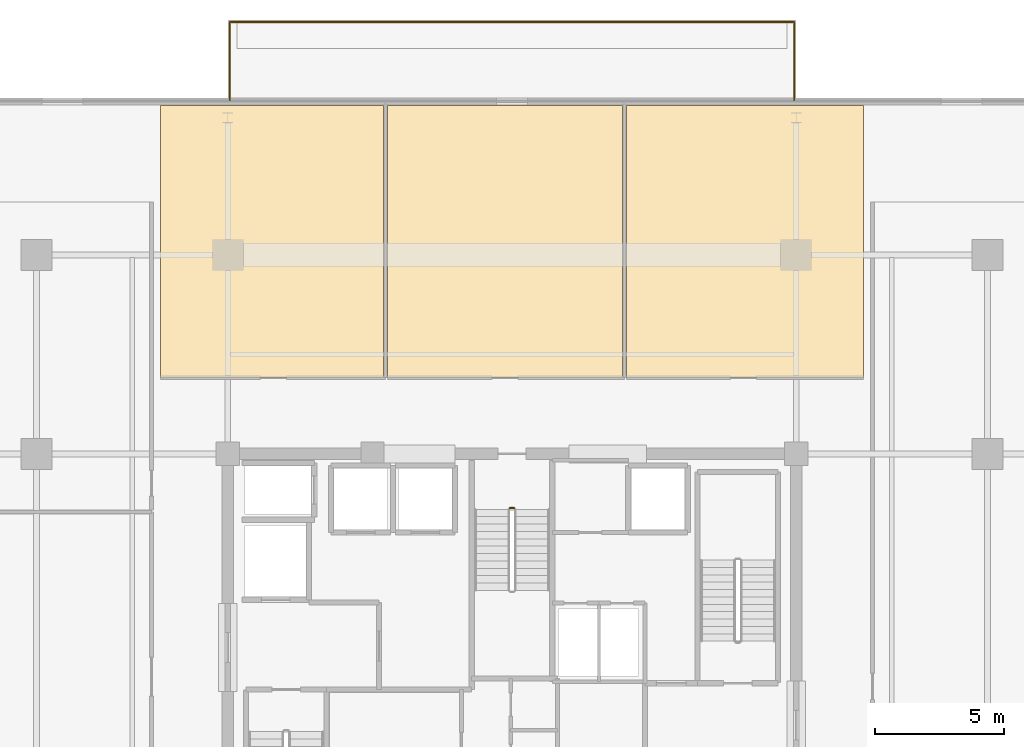
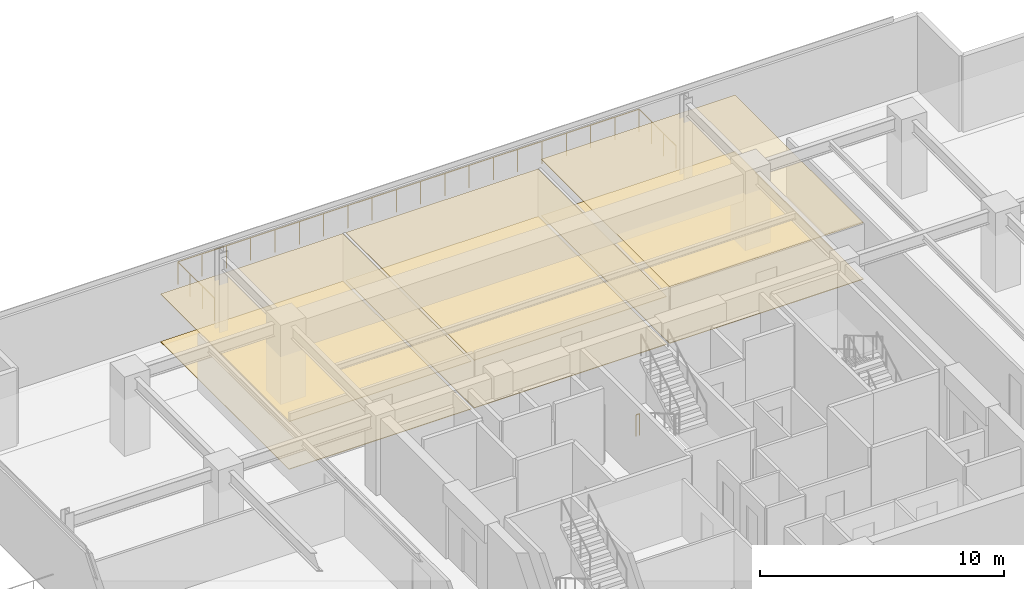
# One storey, part 19 of 19: 6 coverings, 2 railings.
"""IFC4 building model written with IfcOpenShell, lengths in metres."""

from ifc_helpers import new_model, si_unit, direction, frame, origin, origin_2d, place, context, subcontext, project, spatial, polyline, circle, outline, extrude, material, layer, layer_set, type_object, element, save


model = new_model("IFC4")

# Units and contexts
model_context = context("Model", 3, precision=1e-05, world=origin(), true_north=direction((0.0, 1.0)))
body_context = subcontext(model_context, "Body", "Model", "MODEL_VIEW")
ifc_project = project(units=[si_unit("LENGTHUNIT", "METRE"), si_unit("AREAUNIT", "SQUARE_METRE"), si_unit("VOLUMEUNIT", "CUBIC_METRE"), si_unit("PLANEANGLEUNIT", "RADIAN"), si_unit("MASSUNIT", "GRAM", prefix="KILO")], contexts=[model_context])

# Site, building, storey
site_placement = place(None, origin())
site = spatial("IfcSite", under=ifc_project, at=site_placement, CompositionType="ELEMENT")
building_placement = place(site_placement, origin())
building = spatial("IfcBuilding", under=site, at=building_placement, Name="Kovane Verandah Tower", CompositionType="ELEMENT")
storey_placement = place(building_placement, frame((0.0, 0.0, 255.199951171875)))
storey = spatial("IfcBuildingStorey", under=building, at=storey_placement, Name="L59", CompositionType="ELEMENT", Elevation=255.199951171875)

# Coverings
ifc_material_1 = material(Name="Perforated Acoustic Mineral-Fibre Ceiling Tile", Category="gypsum")
ifc_layer_1 = layer(ifc_material_1, 0.02490234375)
ifc_layer_set_1 = layer_set([ifc_layer_1], Name="Perforated Acoustic Mineral-Fibre Ceiling Tile")
covering_type_1 = type_object("IfcCoveringType", Name="CV-CEIL-25", PredefinedType="CEILING", material=ifc_layer_set_1)
covering_1_placement = place(storey_placement, frame((0.0, 0.0, 2.39013671875)))
element("IfcCovering", 1, at=covering_1_placement, inside=storey, type_object=covering_type_1, Name="L59 Focus Studio N1 Acoustic Ceiling", PredefinedType="CEILING", context=body_context, shape_type="SweptSolid", body=[
    extrude(outline(polyline([(26.39990234375, 39.449951171875), (35.033935546875, 39.449951171875), (35.033935546875, 49.987548828125), (26.39990234375, 49.987548828125), (26.39990234375, 39.449951171875)])), origin(), (0.0, 0.0, 1.0), 0.02490234375),
])
covering_2_placement = place(storey_placement, frame((0.0, 0.0, 2.39013671875)))
element("IfcCovering", 2, at=covering_2_placement, inside=storey, type_object=covering_type_1, Name="L59 Breakout Pantry N2 Acoustic Ceiling", PredefinedType="CEILING", context=body_context, shape_type="SweptSolid", body=[
    extrude(outline(polyline([(35.174072265625, 39.449951171875), (44.281982421875, 39.449951171875), (44.281982421875, 49.987548828125), (35.174072265625, 49.987548828125), (35.174072265625, 39.449951171875)])), origin(), (0.0, 0.0, 1.0), 0.02490234375),
])
covering_3_placement = place(storey_placement, frame((0.0, 0.0, 2.824951171875)))
element("IfcCovering", 3, at=covering_3_placement, inside=storey, type_object=covering_type_1, Name="L59 Collaboration Hub N3 Acoustic Ceiling", PredefinedType="CEILING", context=body_context, shape_type="SweptSolid", body=[
    extrude(outline(polyline([(44.422119140625, 39.449951171875), (53.60009765625, 39.449951171875), (53.60009765625, 49.987548828125), (44.422119140625, 49.987548828125), (44.422119140625, 39.449951171875)])), origin(), (0.0, 0.0, 1.0), 0.025146484375),
])
ifc_material_2 = material(Name="Polished Terrazzo and Raised-Access Carpet Tile Finish", Category="concrete")
ifc_layer_2 = layer(ifc_material_2, 0.030029296875)
ifc_layer_set_2 = layer_set([ifc_layer_2], Name="Polished Terrazzo and Raised-Access Carpet Tile Finish")
covering_type_2 = type_object("IfcCoveringType", Name="CV-FLOR-30", PredefinedType="FLOORING", material=ifc_layer_set_2)
covering_4_placement = place(storey_placement, origin())
element("IfcCovering", 4, at=covering_4_placement, inside=storey, type_object=covering_type_2, Name="L59 Focus Studio N1 Floor Finish", PredefinedType="FLOORING", context=body_context, shape_type="SweptSolid", body=[
    extrude(outline(polyline([(26.39990234375, 39.449951171875), (35.033935546875, 39.449951171875), (35.033935546875, 49.987548828125), (26.39990234375, 49.987548828125), (26.39990234375, 39.449951171875)])), origin(), (0.0, 0.0, 1.0), 0.030029296875),
])
covering_5_placement = place(storey_placement, origin())
element("IfcCovering", 5, at=covering_5_placement, inside=storey, type_object=covering_type_2, Name="L59 Breakout Pantry N2 Floor Finish", PredefinedType="FLOORING", context=body_context, shape_type="SweptSolid", body=[
    extrude(outline(polyline([(35.174072265625, 39.449951171875), (44.281982421875, 39.449951171875), (44.281982421875, 49.987548828125), (35.174072265625, 49.987548828125), (35.174072265625, 39.449951171875)])), origin(), (0.0, 0.0, 1.0), 0.030029296875),
])
covering_6_placement = place(storey_placement, origin())
element("IfcCovering", 6, at=covering_6_placement, inside=storey, type_object=covering_type_2, Name="L59 Collaboration Hub N3 Floor Finish", PredefinedType="FLOORING", context=body_context, shape_type="SweptSolid", body=[
    extrude(outline(polyline([(44.422119140625, 39.449951171875), (53.60009765625, 39.449951171875), (53.60009765625, 49.987548828125), (44.422119140625, 49.987548828125), (44.422119140625, 39.449951171875)])), origin(), (0.0, 0.0, 1.0), 0.030029296875),
])

# Railings
ifc_material_3 = material(Name="Laminated Glass and Pale-Champagne Stainless Balustrade", Category="glass")
railing_type_1 = type_object("IfcRailingType", Name="RL-BAL-1150", PredefinedType="BALUSTRADE", material=ifc_material_3)
railing_1_placement = place(storey_placement, frame((29.080078125, 50.1875, 0.0)))
element("IfcRailing", 7, at=railing_1_placement, inside=storey, type_object=railing_type_1, Name="L59 N Verandah Glass Balustrade", PredefinedType="BALUSTRADE", context=body_context, shape_type="SweptSolid", body=[
    extrude(circle(Radius=0.02392578125, at=origin_2d()), frame((0.0, 0.0, 1.1259765625), z_axis=(0.0, 1.0, 0.0), x_axis=(-1.0, 0.0, 0.0)), (0.0, 0.0, 1.0), 3.02001953125),
    extrude(circle(Radius=0.02392578125, at=origin_2d()), frame((0.0, 3.02001953125, 1.1259765625), z_axis=(1.0, 0.0, 0.0), x_axis=(0.0, 1.0, 0.0)), (0.0, 0.0, 1.0), 21.83984375),
    extrude(circle(Radius=0.02392578125, at=origin_2d()), frame((21.83984375, 3.02001953125, 1.1259765625), z_axis=(0.0, -1.0, 0.0), x_axis=(1.0, 0.0, 0.0)), (0.0, 0.0, 1.0), 3.02001953125),
    extrude(circle(Radius=0.02099609375, at=origin_2d()), origin(), (0.0, 0.0, 1.0), 1.101806640625),
    extrude(circle(Radius=0.02099609375, at=origin_2d()), frame((0.0, 1.006591796875, 0.0)), (0.0, 0.0, 1.0), 1.101806640625),
    extrude(circle(Radius=0.02099609375, at=origin_2d()), frame((0.0, 2.013427734375, 0.0)), (0.0, 0.0, 1.0), 1.101806640625),
    extrude(circle(Radius=0.02099609375, at=origin_2d()), frame((0.0, 3.02001953125, 0.0)), (0.0, 0.0, 1.0), 1.101806640625),
    extrude(circle(Radius=0.02099609375, at=origin_2d()), frame((1.1494140625, 3.02001953125, 0.0)), (0.0, 0.0, 1.0), 1.101806640625),
    extrude(circle(Radius=0.02099609375, at=origin_2d()), frame((2.298828125, 3.02001953125, 0.0)), (0.0, 0.0, 1.0), 1.101806640625),
    extrude(circle(Radius=0.02099609375, at=origin_2d()), frame((3.448486328125, 3.02001953125, 0.0)), (0.0, 0.0, 1.0), 1.101806640625),
    extrude(circle(Radius=0.02099609375, at=origin_2d()), frame((4.597900390625, 3.02001953125, 0.0)), (0.0, 0.0, 1.0), 1.101806640625),
    extrude(circle(Radius=0.02099609375, at=origin_2d()), frame((5.747314453125, 3.02001953125, 0.0)), (0.0, 0.0, 1.0), 1.101806640625),
    extrude(circle(Radius=0.02099609375, at=origin_2d()), frame((6.896728515625, 3.02001953125, 0.0)), (0.0, 0.0, 1.0), 1.101806640625),
    extrude(circle(Radius=0.02099609375, at=origin_2d()), frame((8.046142578125, 3.02001953125, 0.0)), (0.0, 0.0, 1.0), 1.101806640625),
    extrude(circle(Radius=0.02099609375, at=origin_2d()), frame((9.19580078125, 3.02001953125, 0.0)), (0.0, 0.0, 1.0), 1.101806640625),
    extrude(circle(Radius=0.02099609375, at=origin_2d()), frame((10.34521484375, 3.02001953125, 0.0)), (0.0, 0.0, 1.0), 1.101806640625),
    extrude(circle(Radius=0.02099609375, at=origin_2d()), frame((11.49462890625, 3.02001953125, 0.0)), (0.0, 0.0, 1.0), 1.101806640625),
    extrude(circle(Radius=0.02099609375, at=origin_2d()), frame((12.64404296875, 3.02001953125, 0.0)), (0.0, 0.0, 1.0), 1.101806640625),
    extrude(circle(Radius=0.02099609375, at=origin_2d()), frame((13.793701171875, 3.02001953125, 0.0)), (0.0, 0.0, 1.0), 1.101806640625),
    extrude(circle(Radius=0.02099609375, at=origin_2d()), frame((14.943115234375, 3.02001953125, 0.0)), (0.0, 0.0, 1.0), 1.101806640625),
    extrude(circle(Radius=0.02099609375, at=origin_2d()), frame((16.092529296875, 3.02001953125, 0.0)), (0.0, 0.0, 1.0), 1.101806640625),
    extrude(circle(Radius=0.02099609375, at=origin_2d()), frame((17.241943359375, 3.02001953125, 0.0)), (0.0, 0.0, 1.0), 1.101806640625),
    extrude(circle(Radius=0.02099609375, at=origin_2d()), frame((18.391357421875, 3.02001953125, 0.0)), (0.0, 0.0, 1.0), 1.101806640625),
    extrude(circle(Radius=0.02099609375, at=origin_2d()), frame((19.541015625, 3.02001953125, 0.0)), (0.0, 0.0, 1.0), 1.101806640625),
    extrude(circle(Radius=0.02099609375, at=origin_2d()), frame((20.6904296875, 3.02001953125, 0.0)), (0.0, 0.0, 1.0), 1.101806640625),
    extrude(circle(Radius=0.02099609375, at=origin_2d()), frame((21.83984375, 3.02001953125, 0.0)), (0.0, 0.0, 1.0), 1.101806640625),
    extrude(circle(Radius=0.02099609375, at=origin_2d()), frame((21.83984375, 2.013427734375, 0.0)), (0.0, 0.0, 1.0), 1.101806640625),
    extrude(circle(Radius=0.02099609375, at=origin_2d()), frame((21.83984375, 1.006591796875, 0.0)), (0.0, 0.0, 1.0), 1.101806640625),
    extrude(circle(Radius=0.02099609375, at=origin_2d()), frame((21.83984375, 0.0, 0.0)), (0.0, 0.0, 1.0), 1.101806640625),
])
ifc_material_4 = material(Name="Painted Steel Stairwell Guardrail", Category="steel")
railing_type_2 = type_object("IfcRailingType", Name="RL-STGUARD-1120", PredefinedType="GUARDRAIL", material=ifc_material_4)
railing_2_placement = place(storey_placement, frame((39.919921875, 34.39990234375, 0.0)))
element("IfcRailing", 8, at=railing_2_placement, inside=storey, type_object=railing_type_2, Name="L59 ST-03 stair guard 4", PredefinedType="GUARDRAIL", context=body_context, shape_type="SweptSolid", body=[
    extrude(circle(Radius=0.02392578125, at=origin_2d()), frame((0.0, 0.0, 1.076171875), z_axis=(1.0, 0.0, 0.0), x_axis=(0.0, 1.0, 0.0)), (0.0, 0.0, 1.0), 0.16015625),
    extrude(circle(Radius=0.02099609375, at=origin_2d()), origin(), (0.0, 0.0, 1.0), 1.052001953125),
    extrude(circle(Radius=0.02099609375, at=origin_2d()), frame((0.16015625, 0.0, 0.0)), (0.0, 0.0, 1.0), 1.052001953125),
])

save(model, "model.ifc")
